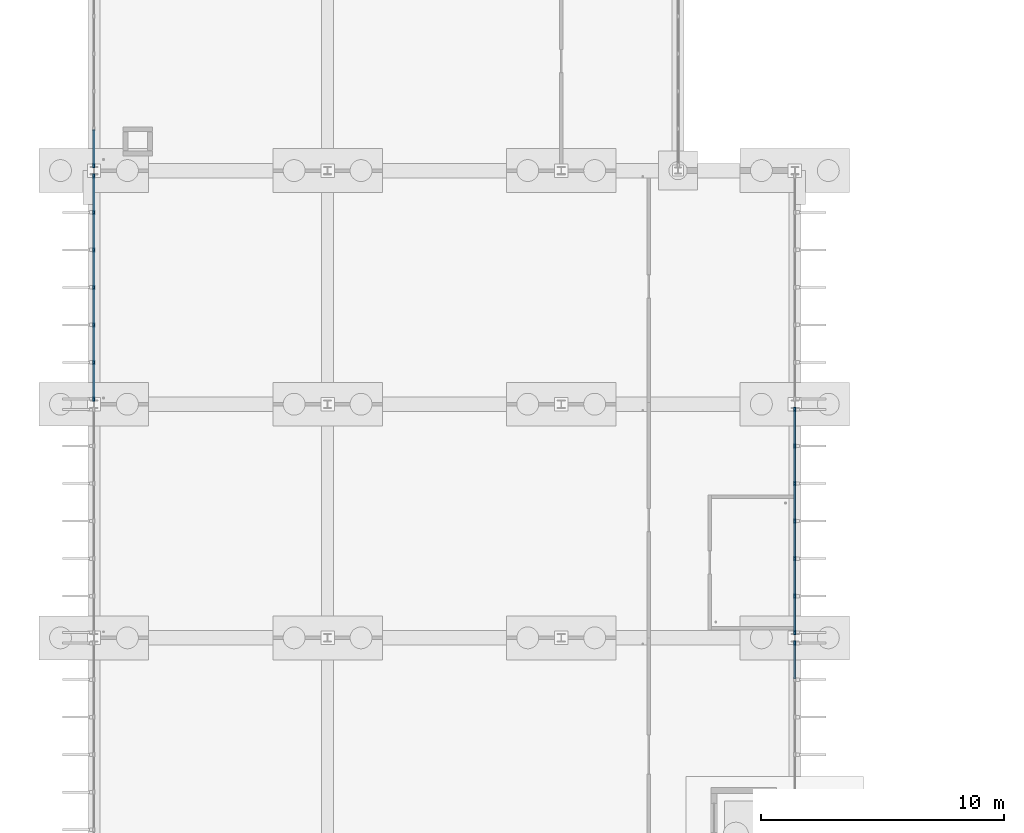
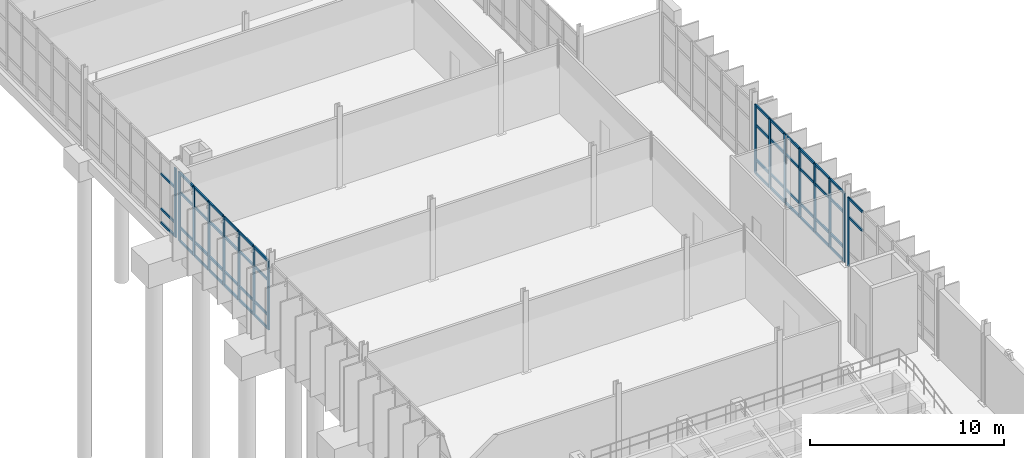
# One storey, part 32 of 111: 69 members, 4 elements without a shape of their own.
"""IFC4 building model written with IfcOpenShell, lengths in metres."""

from ifc_helpers import new_model, si_unit, direction, frame, origin, origin_2d, place, context, subcontext, project, spatial, rectangle, extrude, material, material_profile, profile_set, type_object, element, aggregate, save


model = new_model("IFC4")

# Units and contexts
model_context = context("Model", 3, precision=1e-05, world=origin(), true_north=direction((0.0, 1.0)))
body_context = subcontext(model_context, "Body", "Model", "MODEL_VIEW")
ifc_project = project(units=[si_unit("LENGTHUNIT", "METRE"), si_unit("AREAUNIT", "SQUARE_METRE"), si_unit("VOLUMEUNIT", "CUBIC_METRE"), si_unit("PLANEANGLEUNIT", "RADIAN"), si_unit("MASSUNIT", "GRAM", prefix="KILO")], contexts=[model_context])

# Site, building, storey
site_placement = place(None, origin())
site = spatial("IfcSite", under=ifc_project, at=site_placement, CompositionType="ELEMENT")
building_placement = place(site_placement, origin())
building = spatial("IfcBuilding", under=site, at=building_placement, Name="Dunescarp Central Library", CompositionType="ELEMENT")
storey_placement = place(building_placement, origin())
storey = spatial("IfcBuildingStorey", under=building, at=storey_placement, Name="L00", CompositionType="ELEMENT", Elevation=0.0)

# Curtain wall, member
ifc_material = material(Name="Marine-grade anodised aluminium 6063-T6", Category="aluminium")
curtain_wall_type = type_object("IfcCurtainWallType", Name="ARC-CW-STICK", PredefinedType="NOTDEFINED", material=ifc_material)
curtain_wall_1_placement = place(storey_placement, origin())
curtain_wall_1 = element("IfcCurtainWall", 1, at=curtain_wall_1_placement, inside=storey, type_object=curtain_wall_type, Name="L00 curtain wall CW-V4-113", PredefinedType="NOTDEFINED")
ifc_material_profile_1 = material_profile(ifc_material, rectangle(XDim=0.080078125, YDim=0.179931640625, at=origin_2d()), Name="AL 80x180")
ifc_profile_set_1 = profile_set([ifc_material_profile_1], Name="Marine-grade anodised aluminium 6063-T6")
member_type_1 = type_object("IfcMemberType", Name="ARC-CWM-180", PredefinedType="MULLION", material=ifc_profile_set_1)
member_1_placement = place(storey_placement, frame((28.800048828125, 70.18505859375, 0.0), z_axis=(0.0, 0.0, 1.0), x_axis=(1.0, 0.0, 0.0)))
member_1 = element("IfcMember", 2, at=member_1_placement, type_object=member_type_1, Name="CW-V4-113 mullion 1", PredefinedType="MULLION", context=body_context, shape_type="SweptSolid", body=[
    extrude(rectangle(XDim=0.080078125, YDim=0.179931640625, at=origin_2d()), origin(), (0.0, 0.0, 1.0), 4.322021484375),
])

# Curtain wall, members
curtain_wall_2_placement = place(storey_placement, origin())
curtain_wall_2 = element("IfcCurtainWall", 3, at=curtain_wall_2_placement, inside=storey, type_object=curtain_wall_type, Name="L00 curtain wall CW-V4-115", PredefinedType="NOTDEFINED")
member_2_placement = place(storey_placement, frame((28.800048828125, 79.784912109375, 0.0), z_axis=(0.0, 0.0, 1.0), x_axis=(1.0, 0.0, 0.0)))
member_2 = element("IfcMember", 4, at=member_2_placement, type_object=member_type_1, Name="CW-V4-115 mullion 1", PredefinedType="MULLION", context=body_context, shape_type="SweptSolid", body=[
    extrude(rectangle(XDim=0.080078125, YDim=0.179931640625, at=origin_2d()), origin(), (0.0, 0.0, 1.0), 4.35498046875),
])
member_3_placement = place(storey_placement, frame((28.800048828125, 78.283447265625, 0.0), z_axis=(0.0, 0.0, 1.0), x_axis=(1.0, 0.0, 0.0)))
member_3 = element("IfcMember", 5, at=member_3_placement, type_object=member_type_1, Name="CW-V4-115 mullion 2", PredefinedType="MULLION", context=body_context, shape_type="SweptSolid", body=[
    extrude(rectangle(XDim=0.080078125, YDim=0.179931640625, at=origin_2d()), origin(), (0.0, 0.0, 1.0), 4.35498046875),
])
member_4_placement = place(storey_placement, frame((28.800048828125, 76.74169921875, 0.0), z_axis=(0.0, 0.0, 1.0), x_axis=(1.0, 0.0, 0.0)))
member_4 = element("IfcMember", 6, at=member_4_placement, type_object=member_type_1, Name="CW-V4-115 mullion 3", PredefinedType="MULLION", context=body_context, shape_type="SweptSolid", body=[
    extrude(rectangle(XDim=0.080078125, YDim=0.179931640625, at=origin_2d()), origin(), (0.0, 0.0, 1.0), 4.35498046875),
])
member_5_placement = place(storey_placement, frame((28.800048828125, 75.199951171875, 0.0), z_axis=(0.0, 0.0, 1.0), x_axis=(1.0, 0.0, 0.0)))
member_5 = element("IfcMember", 7, at=member_5_placement, type_object=member_type_1, Name="CW-V4-115 mullion 4", PredefinedType="MULLION", context=body_context, shape_type="SweptSolid", body=[
    extrude(rectangle(XDim=0.080078125, YDim=0.179931640625, at=origin_2d()), origin(), (0.0, 0.0, 1.0), 4.35498046875),
])
member_6_placement = place(storey_placement, frame((28.800048828125, 73.658447265625, 0.0), z_axis=(0.0, 0.0, 1.0), x_axis=(1.0, 0.0, 0.0)))
member_6 = element("IfcMember", 8, at=member_6_placement, type_object=member_type_1, Name="CW-V4-115 mullion 5", PredefinedType="MULLION", context=body_context, shape_type="SweptSolid", body=[
    extrude(rectangle(XDim=0.080078125, YDim=0.179931640625, at=origin_2d()), origin(), (0.0, 0.0, 1.0), 4.35498046875),
])
member_7_placement = place(storey_placement, frame((28.800048828125, 72.11669921875, 0.0), z_axis=(0.0, 0.0, 1.0), x_axis=(1.0, 0.0, 0.0)))
member_7 = element("IfcMember", 9, at=member_7_placement, type_object=member_type_1, Name="CW-V4-115 mullion 6", PredefinedType="MULLION", context=body_context, shape_type="SweptSolid", body=[
    extrude(rectangle(XDim=0.080078125, YDim=0.179931640625, at=origin_2d()), origin(), (0.0, 0.0, 1.0), 4.35498046875),
])
member_8_placement = place(storey_placement, frame((28.800048828125, 70.614990234375, 0.0), z_axis=(0.0, 0.0, 1.0), x_axis=(1.0, 0.0, 0.0)))
member_8 = element("IfcMember", 10, at=member_8_placement, type_object=member_type_1, Name="CW-V4-115 mullion 7", PredefinedType="MULLION", context=body_context, shape_type="SweptSolid", body=[
    extrude(rectangle(XDim=0.080078125, YDim=0.179931640625, at=origin_2d()), origin(), (0.0, 0.0, 1.0), 4.35498046875),
])

curtain_wall_3_placement = place(storey_placement, origin())
curtain_wall_3 = element("IfcCurtainWall", 11, at=curtain_wall_3_placement, inside=storey, type_object=curtain_wall_type, Name="L00 curtain wall CW-V4-116", PredefinedType="NOTDEFINED")
member_9_placement = place(storey_placement, frame((0.0, 80.215087890625, 0.0), z_axis=(0.0, 0.0, 1.0), x_axis=(-1.0, 0.0, 0.0)))
member_9 = element("IfcMember", 12, at=member_9_placement, type_object=member_type_1, Name="CW-V4-116 mullion 1", PredefinedType="MULLION", context=body_context, shape_type="SweptSolid", body=[
    extrude(rectangle(XDim=0.080078125, YDim=0.179931640625, at=origin_2d()), origin(), (0.0, 0.0, 1.0), 4.35498046875),
])
member_10_placement = place(storey_placement, frame((0.0, 81.716552734375, 0.0), z_axis=(0.0, 0.0, 1.0), x_axis=(-1.0, 0.0, 0.0)))
member_10 = element("IfcMember", 13, at=member_10_placement, type_object=member_type_1, Name="CW-V4-116 mullion 2", PredefinedType="MULLION", context=body_context, shape_type="SweptSolid", body=[
    extrude(rectangle(XDim=0.080078125, YDim=0.179931640625, at=origin_2d()), origin(), (0.0, 0.0, 1.0), 4.35498046875),
])
member_11_placement = place(storey_placement, frame((0.0, 83.25830078125, 0.0), z_axis=(0.0, 0.0, 1.0), x_axis=(-1.0, 0.0, 0.0)))
member_11 = element("IfcMember", 14, at=member_11_placement, type_object=member_type_1, Name="CW-V4-116 mullion 3", PredefinedType="MULLION", context=body_context, shape_type="SweptSolid", body=[
    extrude(rectangle(XDim=0.080078125, YDim=0.179931640625, at=origin_2d()), origin(), (0.0, 0.0, 1.0), 4.35498046875),
])
member_12_placement = place(storey_placement, frame((0.0, 84.800048828125, 0.0), z_axis=(0.0, 0.0, 1.0), x_axis=(-1.0, 0.0, 0.0)))
member_12 = element("IfcMember", 15, at=member_12_placement, type_object=member_type_1, Name="CW-V4-116 mullion 4", PredefinedType="MULLION", context=body_context, shape_type="SweptSolid", body=[
    extrude(rectangle(XDim=0.080078125, YDim=0.179931640625, at=origin_2d()), origin(), (0.0, 0.0, 1.0), 4.35498046875),
])
member_13_placement = place(storey_placement, frame((0.0, 86.341552734375, 0.0), z_axis=(0.0, 0.0, 1.0), x_axis=(-1.0, 0.0, 0.0)))
member_13 = element("IfcMember", 16, at=member_13_placement, type_object=member_type_1, Name="CW-V4-116 mullion 5", PredefinedType="MULLION", context=body_context, shape_type="SweptSolid", body=[
    extrude(rectangle(XDim=0.080078125, YDim=0.179931640625, at=origin_2d()), origin(), (0.0, 0.0, 1.0), 4.35498046875),
])
member_14_placement = place(storey_placement, frame((0.0, 87.88330078125, 0.0), z_axis=(0.0, 0.0, 1.0), x_axis=(-1.0, 0.0, 0.0)))
member_14 = element("IfcMember", 17, at=member_14_placement, type_object=member_type_1, Name="CW-V4-116 mullion 6", PredefinedType="MULLION", context=body_context, shape_type="SweptSolid", body=[
    extrude(rectangle(XDim=0.080078125, YDim=0.179931640625, at=origin_2d()), origin(), (0.0, 0.0, 1.0), 4.35498046875),
])
member_15_placement = place(storey_placement, frame((0.0, 89.385009765625, 0.0), z_axis=(0.0, 0.0, 1.0), x_axis=(-1.0, 0.0, 0.0)))
member_15 = element("IfcMember", 18, at=member_15_placement, type_object=member_type_1, Name="CW-V4-116 mullion 7", PredefinedType="MULLION", context=body_context, shape_type="SweptSolid", body=[
    extrude(rectangle(XDim=0.080078125, YDim=0.179931640625, at=origin_2d()), origin(), (0.0, 0.0, 1.0), 4.35498046875),
])

# Curtain wall, member
curtain_wall_4_placement = place(storey_placement, origin())
curtain_wall_4 = element("IfcCurtainWall", 19, at=curtain_wall_4_placement, inside=storey, type_object=curtain_wall_type, Name="L00 curtain wall CW-V4N-138", PredefinedType="NOTDEFINED")
member_16_placement = place(storey_placement, frame((0.0, 89.81494140625, 0.0), z_axis=(0.0, 0.0, 1.0), x_axis=(-1.0, 0.0, 0.0)))
member_16 = element("IfcMember", 20, at=member_16_placement, type_object=member_type_1, Name="CW-V4N-138 mullion 1", PredefinedType="MULLION", context=body_context, shape_type="SweptSolid", body=[
    extrude(rectangle(XDim=0.080078125, YDim=0.179931640625, at=origin_2d()), origin(), (0.0, 0.0, 1.0), 4.35498046875),
])

# Member
ifc_material_profile_2 = material_profile(ifc_material, rectangle(XDim=0.080078125, YDim=0.14990234375, at=origin_2d()), Name="AL 80x150")
ifc_profile_set_2 = profile_set([ifc_material_profile_2], Name="Marine-grade anodised aluminium 6063-T6")
member_type_2 = type_object("IfcMemberType", Name="ARC-CWT-150", PredefinedType="USERDEFINED", material=ifc_profile_set_2)
member_17_placement = place(storey_placement, frame((28.800048828125, 70.14501953125, 3.10009765625), z_axis=(0.0, -1.0, 0.0), x_axis=(1.0, 0.0, 0.0)))
member_17 = element("IfcMember", 21, at=member_17_placement, type_object=member_type_2, Name="CW-V4-113 transom 1.3", ObjectType="TRANSOM", PredefinedType="USERDEFINED", context=body_context, shape_type="SweptSolid", body=[
    extrude(rectangle(XDim=0.080078125, YDim=0.14990234375, at=origin_2d()), origin(), (0.0, 0.0, 1.0), 1.421630859375),
])

member_18_placement = place(storey_placement, frame((28.800048828125, 70.14501953125, 4.281982421875), z_axis=(0.0, -1.0, 0.0), x_axis=(1.0, 0.0, 0.0)))
member_18 = element("IfcMember", 22, at=member_18_placement, type_object=member_type_2, Name="CW-V4-113 transom 1.4", ObjectType="TRANSOM", PredefinedType="USERDEFINED", context=body_context, shape_type="SweptSolid", body=[
    extrude(rectangle(XDim=0.080078125, YDim=0.14990234375, at=origin_2d()), origin(), (0.0, 0.0, 1.0), 1.421630859375),
])

aggregate(curtain_wall_1, [member_1, member_17, member_18])

member_19_placement = place(storey_placement, frame((28.800048828125, 79.7451171875, 0.0400390625), z_axis=(0.0, -1.0, 0.0), x_axis=(1.0, 0.0, 0.0)))
member_19 = element("IfcMember", 23, at=member_19_placement, type_object=member_type_2, Name="CW-V4-115 transom 1.1", ObjectType="TRANSOM", PredefinedType="USERDEFINED", context=body_context, shape_type="SweptSolid", body=[
    extrude(rectangle(XDim=0.080078125, YDim=0.14990234375, at=origin_2d()), origin(), (0.0, 0.0, 1.0), 1.421875),
])

member_20_placement = place(storey_placement, frame((28.800048828125, 79.7451171875, 0.89990234375), z_axis=(0.0, -1.0, 0.0), x_axis=(1.0, 0.0, 0.0)))
member_20 = element("IfcMember", 24, at=member_20_placement, type_object=member_type_2, Name="CW-V4-115 transom 1.2", ObjectType="TRANSOM", PredefinedType="USERDEFINED", context=body_context, shape_type="SweptSolid", body=[
    extrude(rectangle(XDim=0.080078125, YDim=0.14990234375, at=origin_2d()), origin(), (0.0, 0.0, 1.0), 1.421875),
])

member_21_placement = place(storey_placement, frame((28.800048828125, 79.7451171875, 3.10009765625), z_axis=(0.0, -1.0, 0.0), x_axis=(1.0, 0.0, 0.0)))
member_21 = element("IfcMember", 25, at=member_21_placement, type_object=member_type_2, Name="CW-V4-115 transom 1.3", ObjectType="TRANSOM", PredefinedType="USERDEFINED", context=body_context, shape_type="SweptSolid", body=[
    extrude(rectangle(XDim=0.080078125, YDim=0.14990234375, at=origin_2d()), origin(), (0.0, 0.0, 1.0), 1.421875),
])

member_22_placement = place(storey_placement, frame((28.800048828125, 79.7451171875, 4.31494140625), z_axis=(0.0, -1.0, 0.0), x_axis=(1.0, 0.0, 0.0)))
member_22 = element("IfcMember", 26, at=member_22_placement, type_object=member_type_2, Name="CW-V4-115 transom 1.4", ObjectType="TRANSOM", PredefinedType="USERDEFINED", context=body_context, shape_type="SweptSolid", body=[
    extrude(rectangle(XDim=0.080078125, YDim=0.14990234375, at=origin_2d()), origin(), (0.0, 0.0, 1.0), 1.421875),
])

member_23_placement = place(storey_placement, frame((28.800048828125, 78.243408203125, 0.0400390625), z_axis=(0.0, -1.0, 0.0), x_axis=(1.0, 0.0, 0.0)))
member_23 = element("IfcMember", 27, at=member_23_placement, type_object=member_type_2, Name="CW-V4-115 transom 2.1", ObjectType="TRANSOM", PredefinedType="USERDEFINED", context=body_context, shape_type="SweptSolid", body=[
    extrude(rectangle(XDim=0.080078125, YDim=0.14990234375, at=origin_2d()), origin(), (0.0, 0.0, 1.0), 1.461669921875),
])

member_24_placement = place(storey_placement, frame((28.800048828125, 78.243408203125, 0.89990234375), z_axis=(0.0, -1.0, 0.0), x_axis=(1.0, 0.0, 0.0)))
member_24 = element("IfcMember", 28, at=member_24_placement, type_object=member_type_2, Name="CW-V4-115 transom 2.2", ObjectType="TRANSOM", PredefinedType="USERDEFINED", context=body_context, shape_type="SweptSolid", body=[
    extrude(rectangle(XDim=0.080078125, YDim=0.14990234375, at=origin_2d()), origin(), (0.0, 0.0, 1.0), 1.461669921875),
])

member_25_placement = place(storey_placement, frame((28.800048828125, 78.243408203125, 3.10009765625), z_axis=(0.0, -1.0, 0.0), x_axis=(1.0, 0.0, 0.0)))
member_25 = element("IfcMember", 29, at=member_25_placement, type_object=member_type_2, Name="CW-V4-115 transom 2.3", ObjectType="TRANSOM", PredefinedType="USERDEFINED", context=body_context, shape_type="SweptSolid", body=[
    extrude(rectangle(XDim=0.080078125, YDim=0.14990234375, at=origin_2d()), origin(), (0.0, 0.0, 1.0), 1.461669921875),
])

member_26_placement = place(storey_placement, frame((28.800048828125, 78.243408203125, 4.31494140625), z_axis=(0.0, -1.0, 0.0), x_axis=(1.0, 0.0, 0.0)))
member_26 = element("IfcMember", 30, at=member_26_placement, type_object=member_type_2, Name="CW-V4-115 transom 2.4", ObjectType="TRANSOM", PredefinedType="USERDEFINED", context=body_context, shape_type="SweptSolid", body=[
    extrude(rectangle(XDim=0.080078125, YDim=0.14990234375, at=origin_2d()), origin(), (0.0, 0.0, 1.0), 1.461669921875),
])

member_27_placement = place(storey_placement, frame((28.800048828125, 76.70166015625, 0.0400390625), z_axis=(0.0, -1.0, 0.0), x_axis=(1.0, 0.0, 0.0)))
member_27 = element("IfcMember", 31, at=member_27_placement, type_object=member_type_2, Name="CW-V4-115 transom 3.1", ObjectType="TRANSOM", PredefinedType="USERDEFINED", context=body_context, shape_type="SweptSolid", body=[
    extrude(rectangle(XDim=0.080078125, YDim=0.14990234375, at=origin_2d()), origin(), (0.0, 0.0, 1.0), 1.461669921875),
])

member_28_placement = place(storey_placement, frame((28.800048828125, 76.70166015625, 0.89990234375), z_axis=(0.0, -1.0, 0.0), x_axis=(1.0, 0.0, 0.0)))
member_28 = element("IfcMember", 32, at=member_28_placement, type_object=member_type_2, Name="CW-V4-115 transom 3.2", ObjectType="TRANSOM", PredefinedType="USERDEFINED", context=body_context, shape_type="SweptSolid", body=[
    extrude(rectangle(XDim=0.080078125, YDim=0.14990234375, at=origin_2d()), origin(), (0.0, 0.0, 1.0), 1.461669921875),
])

member_29_placement = place(storey_placement, frame((28.800048828125, 76.70166015625, 3.10009765625), z_axis=(0.0, -1.0, 0.0), x_axis=(1.0, 0.0, 0.0)))
member_29 = element("IfcMember", 33, at=member_29_placement, type_object=member_type_2, Name="CW-V4-115 transom 3.3", ObjectType="TRANSOM", PredefinedType="USERDEFINED", context=body_context, shape_type="SweptSolid", body=[
    extrude(rectangle(XDim=0.080078125, YDim=0.14990234375, at=origin_2d()), origin(), (0.0, 0.0, 1.0), 1.461669921875),
])

member_30_placement = place(storey_placement, frame((28.800048828125, 76.70166015625, 4.31494140625), z_axis=(0.0, -1.0, 0.0), x_axis=(1.0, 0.0, 0.0)))
member_30 = element("IfcMember", 34, at=member_30_placement, type_object=member_type_2, Name="CW-V4-115 transom 3.4", ObjectType="TRANSOM", PredefinedType="USERDEFINED", context=body_context, shape_type="SweptSolid", body=[
    extrude(rectangle(XDim=0.080078125, YDim=0.14990234375, at=origin_2d()), origin(), (0.0, 0.0, 1.0), 1.461669921875),
])

member_31_placement = place(storey_placement, frame((28.800048828125, 75.159912109375, 0.0400390625), z_axis=(0.0, -1.0, 0.0), x_axis=(1.0, 0.0, 0.0)))
member_31 = element("IfcMember", 35, at=member_31_placement, type_object=member_type_2, Name="CW-V4-115 transom 4.1", ObjectType="TRANSOM", PredefinedType="USERDEFINED", context=body_context, shape_type="SweptSolid", body=[
    extrude(rectangle(XDim=0.080078125, YDim=0.14990234375, at=origin_2d()), origin(), (0.0, 0.0, 1.0), 1.461669921875),
])

member_32_placement = place(storey_placement, frame((28.800048828125, 75.159912109375, 0.89990234375), z_axis=(0.0, -1.0, 0.0), x_axis=(1.0, 0.0, 0.0)))
member_32 = element("IfcMember", 36, at=member_32_placement, type_object=member_type_2, Name="CW-V4-115 transom 4.2", ObjectType="TRANSOM", PredefinedType="USERDEFINED", context=body_context, shape_type="SweptSolid", body=[
    extrude(rectangle(XDim=0.080078125, YDim=0.14990234375, at=origin_2d()), origin(), (0.0, 0.0, 1.0), 1.461669921875),
])

member_33_placement = place(storey_placement, frame((28.800048828125, 75.159912109375, 3.10009765625), z_axis=(0.0, -1.0, 0.0), x_axis=(1.0, 0.0, 0.0)))
member_33 = element("IfcMember", 37, at=member_33_placement, type_object=member_type_2, Name="CW-V4-115 transom 4.3", ObjectType="TRANSOM", PredefinedType="USERDEFINED", context=body_context, shape_type="SweptSolid", body=[
    extrude(rectangle(XDim=0.080078125, YDim=0.14990234375, at=origin_2d()), origin(), (0.0, 0.0, 1.0), 1.461669921875),
])

member_34_placement = place(storey_placement, frame((28.800048828125, 75.159912109375, 4.31494140625), z_axis=(0.0, -1.0, 0.0), x_axis=(1.0, 0.0, 0.0)))
member_34 = element("IfcMember", 38, at=member_34_placement, type_object=member_type_2, Name="CW-V4-115 transom 4.4", ObjectType="TRANSOM", PredefinedType="USERDEFINED", context=body_context, shape_type="SweptSolid", body=[
    extrude(rectangle(XDim=0.080078125, YDim=0.14990234375, at=origin_2d()), origin(), (0.0, 0.0, 1.0), 1.461669921875),
])

member_35_placement = place(storey_placement, frame((28.800048828125, 73.618408203125, 0.0400390625), z_axis=(0.0, -1.0, 0.0), x_axis=(1.0, 0.0, 0.0)))
member_35 = element("IfcMember", 39, at=member_35_placement, type_object=member_type_2, Name="CW-V4-115 transom 5.1", ObjectType="TRANSOM", PredefinedType="USERDEFINED", context=body_context, shape_type="SweptSolid", body=[
    extrude(rectangle(XDim=0.080078125, YDim=0.14990234375, at=origin_2d()), origin(), (0.0, 0.0, 1.0), 1.461669921875),
])

member_36_placement = place(storey_placement, frame((28.800048828125, 73.618408203125, 0.89990234375), z_axis=(0.0, -1.0, 0.0), x_axis=(1.0, 0.0, 0.0)))
member_36 = element("IfcMember", 40, at=member_36_placement, type_object=member_type_2, Name="CW-V4-115 transom 5.2", ObjectType="TRANSOM", PredefinedType="USERDEFINED", context=body_context, shape_type="SweptSolid", body=[
    extrude(rectangle(XDim=0.080078125, YDim=0.14990234375, at=origin_2d()), origin(), (0.0, 0.0, 1.0), 1.461669921875),
])

member_37_placement = place(storey_placement, frame((28.800048828125, 73.618408203125, 3.10009765625), z_axis=(0.0, -1.0, 0.0), x_axis=(1.0, 0.0, 0.0)))
member_37 = element("IfcMember", 41, at=member_37_placement, type_object=member_type_2, Name="CW-V4-115 transom 5.3", ObjectType="TRANSOM", PredefinedType="USERDEFINED", context=body_context, shape_type="SweptSolid", body=[
    extrude(rectangle(XDim=0.080078125, YDim=0.14990234375, at=origin_2d()), origin(), (0.0, 0.0, 1.0), 1.461669921875),
])

member_38_placement = place(storey_placement, frame((28.800048828125, 73.618408203125, 4.31494140625), z_axis=(0.0, -1.0, 0.0), x_axis=(1.0, 0.0, 0.0)))
member_38 = element("IfcMember", 42, at=member_38_placement, type_object=member_type_2, Name="CW-V4-115 transom 5.4", ObjectType="TRANSOM", PredefinedType="USERDEFINED", context=body_context, shape_type="SweptSolid", body=[
    extrude(rectangle(XDim=0.080078125, YDim=0.14990234375, at=origin_2d()), origin(), (0.0, 0.0, 1.0), 1.461669921875),
])

member_39_placement = place(storey_placement, frame((28.800048828125, 72.07666015625, 0.0400390625), z_axis=(0.0, -1.0, 0.0), x_axis=(1.0, 0.0, 0.0)))
member_39 = element("IfcMember", 43, at=member_39_placement, type_object=member_type_2, Name="CW-V4-115 transom 6.1", ObjectType="TRANSOM", PredefinedType="USERDEFINED", context=body_context, shape_type="SweptSolid", body=[
    extrude(rectangle(XDim=0.080078125, YDim=0.14990234375, at=origin_2d()), origin(), (0.0, 0.0, 1.0), 1.421630859375),
])

member_40_placement = place(storey_placement, frame((28.800048828125, 72.07666015625, 0.89990234375), z_axis=(0.0, -1.0, 0.0), x_axis=(1.0, 0.0, 0.0)))
member_40 = element("IfcMember", 44, at=member_40_placement, type_object=member_type_2, Name="CW-V4-115 transom 6.2", ObjectType="TRANSOM", PredefinedType="USERDEFINED", context=body_context, shape_type="SweptSolid", body=[
    extrude(rectangle(XDim=0.080078125, YDim=0.14990234375, at=origin_2d()), origin(), (0.0, 0.0, 1.0), 1.421630859375),
])

member_41_placement = place(storey_placement, frame((28.800048828125, 72.07666015625, 3.10009765625), z_axis=(0.0, -1.0, 0.0), x_axis=(1.0, 0.0, 0.0)))
member_41 = element("IfcMember", 45, at=member_41_placement, type_object=member_type_2, Name="CW-V4-115 transom 6.3", ObjectType="TRANSOM", PredefinedType="USERDEFINED", context=body_context, shape_type="SweptSolid", body=[
    extrude(rectangle(XDim=0.080078125, YDim=0.14990234375, at=origin_2d()), origin(), (0.0, 0.0, 1.0), 1.421630859375),
])

member_42_placement = place(storey_placement, frame((28.800048828125, 72.07666015625, 4.31494140625), z_axis=(0.0, -1.0, 0.0), x_axis=(1.0, 0.0, 0.0)))
member_42 = element("IfcMember", 46, at=member_42_placement, type_object=member_type_2, Name="CW-V4-115 transom 6.4", ObjectType="TRANSOM", PredefinedType="USERDEFINED", context=body_context, shape_type="SweptSolid", body=[
    extrude(rectangle(XDim=0.080078125, YDim=0.14990234375, at=origin_2d()), origin(), (0.0, 0.0, 1.0), 1.421630859375),
])

aggregate(curtain_wall_2, [member_2, member_3, member_4, member_5, member_6, member_7, member_8, member_19, member_20, member_21, member_22, member_23, member_24, member_25, member_26, member_27, member_28, member_29, member_30, member_31, member_32, member_33, member_34, member_35, member_36, member_37, member_38, member_39, member_40, member_41, member_42])

member_43_placement = place(storey_placement, frame((0.0, 80.2548828125, 0.0400390625), z_axis=(0.0, 1.0, 0.0), x_axis=(-1.0, 0.0, 0.0)))
member_43 = element("IfcMember", 47, at=member_43_placement, type_object=member_type_2, Name="CW-V4-116 transom 1.1", ObjectType="TRANSOM", PredefinedType="USERDEFINED", context=body_context, shape_type="SweptSolid", body=[
    extrude(rectangle(XDim=0.080078125, YDim=0.14990234375, at=origin_2d()), origin(), (0.0, 0.0, 1.0), 1.421875),
])

member_44_placement = place(storey_placement, frame((0.0, 80.2548828125, 0.89990234375), z_axis=(0.0, 1.0, 0.0), x_axis=(-1.0, 0.0, 0.0)))
member_44 = element("IfcMember", 48, at=member_44_placement, type_object=member_type_2, Name="CW-V4-116 transom 1.2", ObjectType="TRANSOM", PredefinedType="USERDEFINED", context=body_context, shape_type="SweptSolid", body=[
    extrude(rectangle(XDim=0.080078125, YDim=0.14990234375, at=origin_2d()), origin(), (0.0, 0.0, 1.0), 1.421875),
])

member_45_placement = place(storey_placement, frame((0.0, 80.2548828125, 3.10009765625), z_axis=(0.0, 1.0, 0.0), x_axis=(-1.0, 0.0, 0.0)))
member_45 = element("IfcMember", 49, at=member_45_placement, type_object=member_type_2, Name="CW-V4-116 transom 1.3", ObjectType="TRANSOM", PredefinedType="USERDEFINED", context=body_context, shape_type="SweptSolid", body=[
    extrude(rectangle(XDim=0.080078125, YDim=0.14990234375, at=origin_2d()), origin(), (0.0, 0.0, 1.0), 1.421875),
])

member_46_placement = place(storey_placement, frame((0.0, 80.2548828125, 4.31494140625), z_axis=(0.0, 1.0, 0.0), x_axis=(-1.0, 0.0, 0.0)))
member_46 = element("IfcMember", 50, at=member_46_placement, type_object=member_type_2, Name="CW-V4-116 transom 1.4", ObjectType="TRANSOM", PredefinedType="USERDEFINED", context=body_context, shape_type="SweptSolid", body=[
    extrude(rectangle(XDim=0.080078125, YDim=0.14990234375, at=origin_2d()), origin(), (0.0, 0.0, 1.0), 1.421875),
])

member_47_placement = place(storey_placement, frame((0.0, 81.756591796875, 0.0400390625), z_axis=(0.0, 1.0, 0.0), x_axis=(-1.0, 0.0, 0.0)))
member_47 = element("IfcMember", 51, at=member_47_placement, type_object=member_type_2, Name="CW-V4-116 transom 2.1", ObjectType="TRANSOM", PredefinedType="USERDEFINED", context=body_context, shape_type="SweptSolid", body=[
    extrude(rectangle(XDim=0.080078125, YDim=0.14990234375, at=origin_2d()), origin(), (0.0, 0.0, 1.0), 1.461669921875),
])

member_48_placement = place(storey_placement, frame((0.0, 81.756591796875, 0.89990234375), z_axis=(0.0, 1.0, 0.0), x_axis=(-1.0, 0.0, 0.0)))
member_48 = element("IfcMember", 52, at=member_48_placement, type_object=member_type_2, Name="CW-V4-116 transom 2.2", ObjectType="TRANSOM", PredefinedType="USERDEFINED", context=body_context, shape_type="SweptSolid", body=[
    extrude(rectangle(XDim=0.080078125, YDim=0.14990234375, at=origin_2d()), origin(), (0.0, 0.0, 1.0), 1.461669921875),
])

member_49_placement = place(storey_placement, frame((0.0, 81.756591796875, 3.10009765625), z_axis=(0.0, 1.0, 0.0), x_axis=(-1.0, 0.0, 0.0)))
member_49 = element("IfcMember", 53, at=member_49_placement, type_object=member_type_2, Name="CW-V4-116 transom 2.3", ObjectType="TRANSOM", PredefinedType="USERDEFINED", context=body_context, shape_type="SweptSolid", body=[
    extrude(rectangle(XDim=0.080078125, YDim=0.14990234375, at=origin_2d()), origin(), (0.0, 0.0, 1.0), 1.461669921875),
])

member_50_placement = place(storey_placement, frame((0.0, 81.756591796875, 4.31494140625), z_axis=(0.0, 1.0, 0.0), x_axis=(-1.0, 0.0, 0.0)))
member_50 = element("IfcMember", 54, at=member_50_placement, type_object=member_type_2, Name="CW-V4-116 transom 2.4", ObjectType="TRANSOM", PredefinedType="USERDEFINED", context=body_context, shape_type="SweptSolid", body=[
    extrude(rectangle(XDim=0.080078125, YDim=0.14990234375, at=origin_2d()), origin(), (0.0, 0.0, 1.0), 1.461669921875),
])

member_51_placement = place(storey_placement, frame((0.0, 83.29833984375, 0.0400390625), z_axis=(0.0, 1.0, 0.0), x_axis=(-1.0, 0.0, 0.0)))
member_51 = element("IfcMember", 55, at=member_51_placement, type_object=member_type_2, Name="CW-V4-116 transom 3.1", ObjectType="TRANSOM", PredefinedType="USERDEFINED", context=body_context, shape_type="SweptSolid", body=[
    extrude(rectangle(XDim=0.080078125, YDim=0.14990234375, at=origin_2d()), origin(), (0.0, 0.0, 1.0), 1.461669921875),
])

member_52_placement = place(storey_placement, frame((0.0, 83.29833984375, 0.89990234375), z_axis=(0.0, 1.0, 0.0), x_axis=(-1.0, 0.0, 0.0)))
member_52 = element("IfcMember", 56, at=member_52_placement, type_object=member_type_2, Name="CW-V4-116 transom 3.2", ObjectType="TRANSOM", PredefinedType="USERDEFINED", context=body_context, shape_type="SweptSolid", body=[
    extrude(rectangle(XDim=0.080078125, YDim=0.14990234375, at=origin_2d()), origin(), (0.0, 0.0, 1.0), 1.461669921875),
])

member_53_placement = place(storey_placement, frame((0.0, 83.29833984375, 3.10009765625), z_axis=(0.0, 1.0, 0.0), x_axis=(-1.0, 0.0, 0.0)))
member_53 = element("IfcMember", 57, at=member_53_placement, type_object=member_type_2, Name="CW-V4-116 transom 3.3", ObjectType="TRANSOM", PredefinedType="USERDEFINED", context=body_context, shape_type="SweptSolid", body=[
    extrude(rectangle(XDim=0.080078125, YDim=0.14990234375, at=origin_2d()), origin(), (0.0, 0.0, 1.0), 1.461669921875),
])

member_54_placement = place(storey_placement, frame((0.0, 83.29833984375, 4.31494140625), z_axis=(0.0, 1.0, 0.0), x_axis=(-1.0, 0.0, 0.0)))
member_54 = element("IfcMember", 58, at=member_54_placement, type_object=member_type_2, Name="CW-V4-116 transom 3.4", ObjectType="TRANSOM", PredefinedType="USERDEFINED", context=body_context, shape_type="SweptSolid", body=[
    extrude(rectangle(XDim=0.080078125, YDim=0.14990234375, at=origin_2d()), origin(), (0.0, 0.0, 1.0), 1.461669921875),
])

member_55_placement = place(storey_placement, frame((0.0, 84.840087890625, 0.0400390625), z_axis=(0.0, 1.0, 0.0), x_axis=(-1.0, 0.0, 0.0)))
member_55 = element("IfcMember", 59, at=member_55_placement, type_object=member_type_2, Name="CW-V4-116 transom 4.1", ObjectType="TRANSOM", PredefinedType="USERDEFINED", context=body_context, shape_type="SweptSolid", body=[
    extrude(rectangle(XDim=0.080078125, YDim=0.14990234375, at=origin_2d()), origin(), (0.0, 0.0, 1.0), 1.461669921875),
])

member_56_placement = place(storey_placement, frame((0.0, 84.840087890625, 0.89990234375), z_axis=(0.0, 1.0, 0.0), x_axis=(-1.0, 0.0, 0.0)))
member_56 = element("IfcMember", 60, at=member_56_placement, type_object=member_type_2, Name="CW-V4-116 transom 4.2", ObjectType="TRANSOM", PredefinedType="USERDEFINED", context=body_context, shape_type="SweptSolid", body=[
    extrude(rectangle(XDim=0.080078125, YDim=0.14990234375, at=origin_2d()), origin(), (0.0, 0.0, 1.0), 1.461669921875),
])

member_57_placement = place(storey_placement, frame((0.0, 84.840087890625, 3.10009765625), z_axis=(0.0, 1.0, 0.0), x_axis=(-1.0, 0.0, 0.0)))
member_57 = element("IfcMember", 61, at=member_57_placement, type_object=member_type_2, Name="CW-V4-116 transom 4.3", ObjectType="TRANSOM", PredefinedType="USERDEFINED", context=body_context, shape_type="SweptSolid", body=[
    extrude(rectangle(XDim=0.080078125, YDim=0.14990234375, at=origin_2d()), origin(), (0.0, 0.0, 1.0), 1.461669921875),
])

member_58_placement = place(storey_placement, frame((0.0, 84.840087890625, 4.31494140625), z_axis=(0.0, 1.0, 0.0), x_axis=(-1.0, 0.0, 0.0)))
member_58 = element("IfcMember", 62, at=member_58_placement, type_object=member_type_2, Name="CW-V4-116 transom 4.4", ObjectType="TRANSOM", PredefinedType="USERDEFINED", context=body_context, shape_type="SweptSolid", body=[
    extrude(rectangle(XDim=0.080078125, YDim=0.14990234375, at=origin_2d()), origin(), (0.0, 0.0, 1.0), 1.461669921875),
])

member_59_placement = place(storey_placement, frame((0.0, 86.381591796875, 0.0400390625), z_axis=(0.0, 1.0, 0.0), x_axis=(-1.0, 0.0, 0.0)))
member_59 = element("IfcMember", 63, at=member_59_placement, type_object=member_type_2, Name="CW-V4-116 transom 5.1", ObjectType="TRANSOM", PredefinedType="USERDEFINED", context=body_context, shape_type="SweptSolid", body=[
    extrude(rectangle(XDim=0.080078125, YDim=0.14990234375, at=origin_2d()), origin(), (0.0, 0.0, 1.0), 1.461669921875),
])

member_60_placement = place(storey_placement, frame((0.0, 86.381591796875, 0.89990234375), z_axis=(0.0, 1.0, 0.0), x_axis=(-1.0, 0.0, 0.0)))
member_60 = element("IfcMember", 64, at=member_60_placement, type_object=member_type_2, Name="CW-V4-116 transom 5.2", ObjectType="TRANSOM", PredefinedType="USERDEFINED", context=body_context, shape_type="SweptSolid", body=[
    extrude(rectangle(XDim=0.080078125, YDim=0.14990234375, at=origin_2d()), origin(), (0.0, 0.0, 1.0), 1.461669921875),
])

member_61_placement = place(storey_placement, frame((0.0, 86.381591796875, 3.10009765625), z_axis=(0.0, 1.0, 0.0), x_axis=(-1.0, 0.0, 0.0)))
member_61 = element("IfcMember", 65, at=member_61_placement, type_object=member_type_2, Name="CW-V4-116 transom 5.3", ObjectType="TRANSOM", PredefinedType="USERDEFINED", context=body_context, shape_type="SweptSolid", body=[
    extrude(rectangle(XDim=0.080078125, YDim=0.14990234375, at=origin_2d()), origin(), (0.0, 0.0, 1.0), 1.461669921875),
])

member_62_placement = place(storey_placement, frame((0.0, 86.381591796875, 4.31494140625), z_axis=(0.0, 1.0, 0.0), x_axis=(-1.0, 0.0, 0.0)))
member_62 = element("IfcMember", 66, at=member_62_placement, type_object=member_type_2, Name="CW-V4-116 transom 5.4", ObjectType="TRANSOM", PredefinedType="USERDEFINED", context=body_context, shape_type="SweptSolid", body=[
    extrude(rectangle(XDim=0.080078125, YDim=0.14990234375, at=origin_2d()), origin(), (0.0, 0.0, 1.0), 1.461669921875),
])

member_63_placement = place(storey_placement, frame((0.0, 87.92333984375, 0.0400390625), z_axis=(0.0, 1.0, 0.0), x_axis=(-1.0, 0.0, 0.0)))
member_63 = element("IfcMember", 67, at=member_63_placement, type_object=member_type_2, Name="CW-V4-116 transom 6.1", ObjectType="TRANSOM", PredefinedType="USERDEFINED", context=body_context, shape_type="SweptSolid", body=[
    extrude(rectangle(XDim=0.080078125, YDim=0.14990234375, at=origin_2d()), origin(), (0.0, 0.0, 1.0), 1.421630859375),
])

member_64_placement = place(storey_placement, frame((0.0, 87.92333984375, 0.89990234375), z_axis=(0.0, 1.0, 0.0), x_axis=(-1.0, 0.0, 0.0)))
member_64 = element("IfcMember", 68, at=member_64_placement, type_object=member_type_2, Name="CW-V4-116 transom 6.2", ObjectType="TRANSOM", PredefinedType="USERDEFINED", context=body_context, shape_type="SweptSolid", body=[
    extrude(rectangle(XDim=0.080078125, YDim=0.14990234375, at=origin_2d()), origin(), (0.0, 0.0, 1.0), 1.421630859375),
])

member_65_placement = place(storey_placement, frame((0.0, 87.92333984375, 3.10009765625), z_axis=(0.0, 1.0, 0.0), x_axis=(-1.0, 0.0, 0.0)))
member_65 = element("IfcMember", 69, at=member_65_placement, type_object=member_type_2, Name="CW-V4-116 transom 6.3", ObjectType="TRANSOM", PredefinedType="USERDEFINED", context=body_context, shape_type="SweptSolid", body=[
    extrude(rectangle(XDim=0.080078125, YDim=0.14990234375, at=origin_2d()), origin(), (0.0, 0.0, 1.0), 1.421630859375),
])

member_66_placement = place(storey_placement, frame((0.0, 87.92333984375, 4.31494140625), z_axis=(0.0, 1.0, 0.0), x_axis=(-1.0, 0.0, 0.0)))
member_66 = element("IfcMember", 70, at=member_66_placement, type_object=member_type_2, Name="CW-V4-116 transom 6.4", ObjectType="TRANSOM", PredefinedType="USERDEFINED", context=body_context, shape_type="SweptSolid", body=[
    extrude(rectangle(XDim=0.080078125, YDim=0.14990234375, at=origin_2d()), origin(), (0.0, 0.0, 1.0), 1.421630859375),
])

aggregate(curtain_wall_3, [member_9, member_10, member_11, member_12, member_13, member_14, member_15, member_43, member_44, member_45, member_46, member_47, member_48, member_49, member_50, member_51, member_52, member_53, member_54, member_55, member_56, member_57, member_58, member_59, member_60, member_61, member_62, member_63, member_64, member_65, member_66])

member_67_placement = place(storey_placement, frame((0.0, 89.85498046875, 0.0400390625), z_axis=(0.0, 1.0, 0.0), x_axis=(-1.0, 0.0, 0.0)))
member_67 = element("IfcMember", 71, at=member_67_placement, type_object=member_type_2, Name="CW-V4N-138 transom 1.1", ObjectType="TRANSOM", PredefinedType="USERDEFINED", context=body_context, shape_type="SweptSolid", body=[
    extrude(rectangle(XDim=0.080078125, YDim=0.14990234375, at=origin_2d()), origin(), (0.0, 0.0, 1.0), 1.421630859375),
])

member_68_placement = place(storey_placement, frame((0.0, 89.85498046875, 0.89990234375), z_axis=(0.0, 1.0, 0.0), x_axis=(-1.0, 0.0, 0.0)))
member_68 = element("IfcMember", 72, at=member_68_placement, type_object=member_type_2, Name="CW-V4N-138 transom 1.2", ObjectType="TRANSOM", PredefinedType="USERDEFINED", context=body_context, shape_type="SweptSolid", body=[
    extrude(rectangle(XDim=0.080078125, YDim=0.14990234375, at=origin_2d()), origin(), (0.0, 0.0, 1.0), 1.421630859375),
])

member_69_placement = place(storey_placement, frame((0.0, 89.85498046875, 3.10009765625), z_axis=(0.0, 1.0, 0.0), x_axis=(-1.0, 0.0, 0.0)))
member_69 = element("IfcMember", 73, at=member_69_placement, type_object=member_type_2, Name="CW-V4N-138 transom 1.3", ObjectType="TRANSOM", PredefinedType="USERDEFINED", context=body_context, shape_type="SweptSolid", body=[
    extrude(rectangle(XDim=0.080078125, YDim=0.14990234375, at=origin_2d()), origin(), (0.0, 0.0, 1.0), 1.421630859375),
])

aggregate(curtain_wall_4, [member_16, member_67, member_68, member_69])

save(model, "model.ifc")
